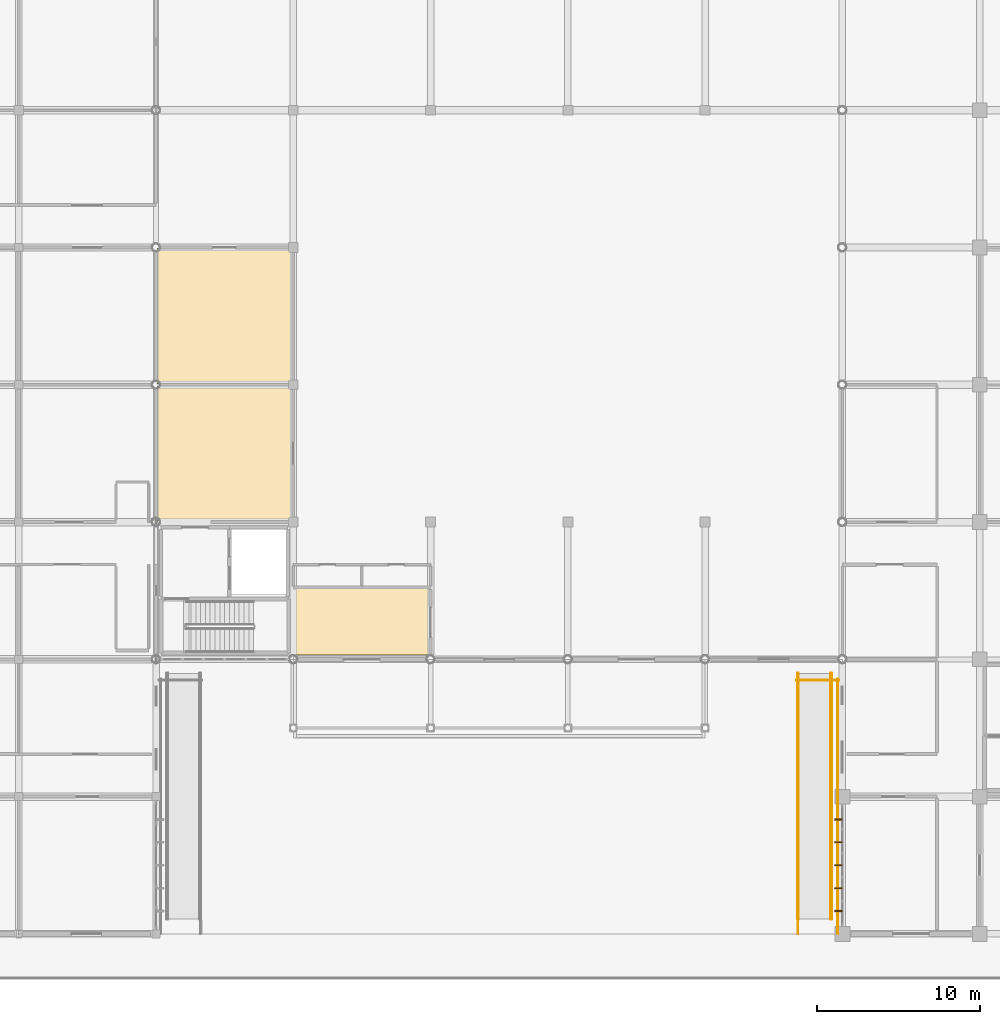
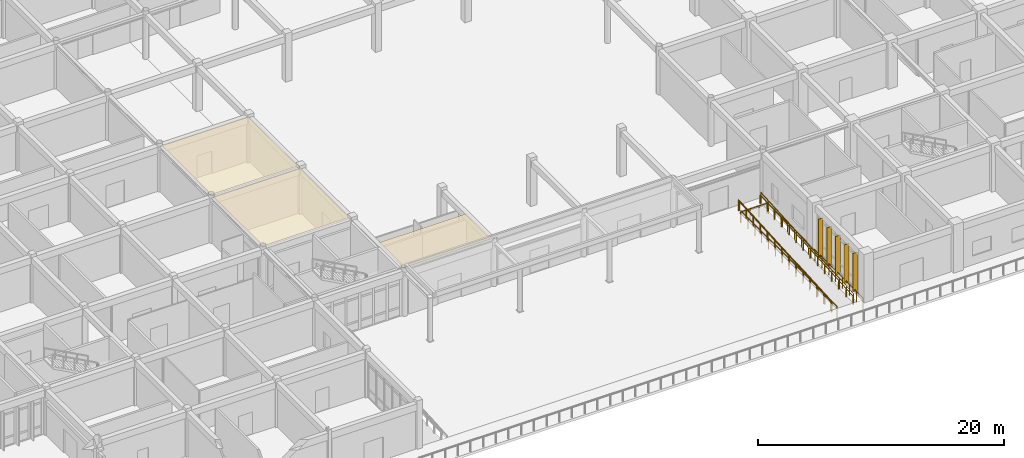
# One storey, part 119 of 138: 7 railings, 5 shading devices, 3 coverings.
"""IFC4 building model written with IfcOpenShell, lengths in metres."""

from ifc_helpers import new_model, si_unit, direction, frame, origin, origin_2d, place, context, subcontext, project, spatial, polyline, rectangle, circle, outline, extrude, material, layer, layer_set, material_profile, profile_set, type_object, element, save


model = new_model("IFC4")

# Units and contexts
model_context = context("Model", 3, precision=1e-05, world=origin(), true_north=direction((0.0, 1.0)))
body_context = subcontext(model_context, "Body", "Model", "MODEL_VIEW")
ifc_project = project(units=[si_unit("LENGTHUNIT", "METRE"), si_unit("AREAUNIT", "SQUARE_METRE"), si_unit("VOLUMEUNIT", "CUBIC_METRE"), si_unit("PLANEANGLEUNIT", "RADIAN"), si_unit("MASSUNIT", "GRAM", prefix="KILO")], contexts=[model_context])

# Site, building, storey
site_placement = place(None, origin())
site = spatial("IfcSite", under=ifc_project, at=site_placement, CompositionType="ELEMENT")
building_placement = place(site_placement, origin())
building = spatial("IfcBuilding", under=site, at=building_placement, Name="Bramfleet General Hospital", CompositionType="ELEMENT")
storey_placement = place(building_placement, origin())
storey = spatial("IfcBuildingStorey", under=building, at=storey_placement, Name="L00", CompositionType="ELEMENT", Elevation=0.0)

# Coverings
ifc_material_1 = material(Name="Hygienic acoustic mineral-fibre ceiling")
ifc_layer = layer(ifc_material_1, 0.02490234375, Name="COV-HYG-CEIL")
ifc_layer_set = layer_set([ifc_layer], Name="Hygienic acoustic mineral-fibre ceiling")
covering_type = type_object("IfcCoveringType", Name="COV-HYG-CEIL", PredefinedType="CEILING", material=ifc_layer_set)
covering_1_placement = place(storey_placement, frame((0.0, 0.0, 4.43505859375)))
element("IfcCovering", 1, at=covering_1_placement, inside=storey, type_object=covering_type, Name="Patient Admissions and Reception 03 Hygienic Ceiling", PredefinedType="CEILING", context=body_context, shape_type="SweptSolid", body=[
    extrude(outline(polyline([(58.739990234375, 33.5400390625), (58.739990234375, 25.260009765625), (50.4599609375, 25.260009765625), (50.4599609375, 33.5400390625), (58.739990234375, 33.5400390625)])), origin(), (0.0, 0.0, 1.0), 0.02490234375),
])
covering_2_placement = place(storey_placement, frame((0.0, 0.0, 4.43505859375)))
element("IfcCovering", 2, at=covering_2_placement, inside=storey, type_object=covering_type, Name="Patient Admissions and Reception 04 Hygienic Ceiling", PredefinedType="CEILING", context=body_context, shape_type="SweptSolid", body=[
    extrude(outline(polyline([(58.739990234375, 41.93994140625), (58.739990234375, 33.659912109375), (50.4599609375, 33.659912109375), (50.4599609375, 41.93994140625), (58.739990234375, 41.93994140625)])), origin(), (0.0, 0.0, 1.0), 0.02490234375),
])
covering_3_placement = place(storey_placement, frame((0.0, 0.0, 4.43505859375)))
element("IfcCovering", 3, at=covering_3_placement, inside=storey, type_object=covering_type, Name="Fire Command Room Hygienic Ceiling", PredefinedType="CEILING", context=body_context, shape_type="SweptSolid", body=[
    extrude(outline(polyline([(67.139892578125, 21.139892578125), (67.139892578125, 17.06005859375), (58.860107421875, 17.06005859375), (58.860107421875, 21.139892578125), (67.139892578125, 21.139892578125)])), origin(), (0.0, 0.0, 1.0), 0.02490234375),
])

# Railings
ifc_material_2 = material(Name="Stainless steel 1.4401 safety balustrade", Category="steel")
railing_type_1 = type_object("IfcRailingType", Name="RAIL-EXT-GUARD", PredefinedType="GUARDRAIL", material=ifc_material_2)
railing_1_placement = place(storey_placement, frame((92.1201171875, 0.0, -0.89990234375)))
element("IfcRailing", 4, at=railing_1_placement, inside=storey, type_object=railing_type_1, Name="Ramp Pocket Guard 2.247", PredefinedType="GUARDRAIL", context=body_context, shape_type="SweptSolid", body=[
    extrude(circle(Radius=0.02392578125, at=origin_2d()), frame((0.0, 0.0, 1.076171875), z_axis=(0.0, 1.0, 0.0), x_axis=(-1.0, 0.0, 0.0)), (0.0, 0.0, 1.0), 15.60009765625),
    extrude(circle(Radius=0.02099609375, at=origin_2d()), origin(), (0.0, 0.0, 1.0), 1.052001953125),
    extrude(circle(Radius=0.02099609375, at=origin_2d()), frame((0.0, 1.1142578125, 0.0)), (0.0, 0.0, 1.0), 1.052001953125),
    extrude(circle(Radius=0.02099609375, at=origin_2d()), frame((0.0, 2.228515625, 0.0)), (0.0, 0.0, 1.0), 1.052001953125),
    extrude(circle(Radius=0.02099609375, at=origin_2d()), frame((0.0, 3.3427734375, 0.0)), (0.0, 0.0, 1.0), 1.052001953125),
    extrude(circle(Radius=0.02099609375, at=origin_2d()), frame((0.0, 4.457275390625, 0.0)), (0.0, 0.0, 1.0), 1.052001953125),
    extrude(circle(Radius=0.02099609375, at=origin_2d()), frame((0.0, 5.571533203125, 0.0)), (0.0, 0.0, 1.0), 1.052001953125),
    extrude(circle(Radius=0.02099609375, at=origin_2d()), frame((0.0, 6.685791015625, 0.0)), (0.0, 0.0, 1.0), 1.052001953125),
    extrude(circle(Radius=0.02099609375, at=origin_2d()), frame((0.0, 7.800048828125, 0.0)), (0.0, 0.0, 1.0), 1.052001953125),
    extrude(circle(Radius=0.02099609375, at=origin_2d()), frame((0.0, 8.914306640625, 0.0)), (0.0, 0.0, 1.0), 1.052001953125),
    extrude(circle(Radius=0.02099609375, at=origin_2d()), frame((0.0, 10.028564453125, 0.0)), (0.0, 0.0, 1.0), 1.052001953125),
    extrude(circle(Radius=0.02099609375, at=origin_2d()), frame((0.0, 11.142822265625, 0.0)), (0.0, 0.0, 1.0), 1.052001953125),
    extrude(circle(Radius=0.02099609375, at=origin_2d()), frame((0.0, 12.25732421875, 0.0)), (0.0, 0.0, 1.0), 1.052001953125),
    extrude(circle(Radius=0.02099609375, at=origin_2d()), frame((0.0, 13.37158203125, 0.0)), (0.0, 0.0, 1.0), 1.052001953125),
    extrude(circle(Radius=0.02099609375, at=origin_2d()), frame((0.0, 14.48583984375, 0.0)), (0.0, 0.0, 1.0), 1.052001953125),
    extrude(circle(Radius=0.02099609375, at=origin_2d()), frame((0.0, 15.60009765625, 0.0)), (0.0, 0.0, 1.0), 1.052001953125),
])
railing_2_placement = place(storey_placement, frame((92.199951171875, 15.52001953125, -0.89990234375)))
element("IfcRailing", 5, at=railing_2_placement, inside=storey, type_object=railing_type_1, Name="Ramp Pocket Guard 2.248", PredefinedType="GUARDRAIL", context=body_context, shape_type="SweptSolid", body=[
    extrude(circle(Radius=0.02392578125, at=origin_2d()), frame((0.0, 0.0, 1.076171875), z_axis=(-1.0, 0.0, 0.0), x_axis=(0.0, -1.0, 0.0)), (0.0, 0.0, 1.0), 2.599853515625),
    extrude(circle(Radius=0.02099609375, at=origin_2d()), origin(), (0.0, 0.0, 1.0), 1.052001953125),
    extrude(circle(Radius=0.02099609375, at=origin_2d()), frame((-0.86669921875, 0.0, 0.0)), (0.0, 0.0, 1.0), 1.052001953125),
    extrude(circle(Radius=0.02099609375, at=origin_2d()), frame((-1.733154296875, 0.0, 0.0)), (0.0, 0.0, 1.0), 1.052001953125),
    extrude(circle(Radius=0.02099609375, at=origin_2d()), frame((-2.599853515625, 0.0, 0.0)), (0.0, 0.0, 1.0), 1.052001953125),
])
railing_3_placement = place(storey_placement, frame((89.679931640625, 15.60009765625, -0.89990234375)))
element("IfcRailing", 6, at=railing_3_placement, inside=storey, type_object=railing_type_1, Name="Ramp Pocket Guard 2.249", PredefinedType="GUARDRAIL", context=body_context, shape_type="SweptSolid", body=[
    extrude(circle(Radius=0.02392578125, at=origin_2d()), frame((0.0, 0.0, 1.076171875), z_axis=(0.0, -1.0, 0.0), x_axis=(1.0, 0.0, 0.0)), (0.0, 0.0, 1.0), 15.60009765625),
    extrude(circle(Radius=0.02099609375, at=origin_2d()), origin(), (0.0, 0.0, 1.0), 1.052001953125),
    extrude(circle(Radius=0.02099609375, at=origin_2d()), frame((0.0, -1.1142578125, 0.0)), (0.0, 0.0, 1.0), 1.052001953125),
    extrude(circle(Radius=0.02099609375, at=origin_2d()), frame((0.0, -2.228515625, 0.0)), (0.0, 0.0, 1.0), 1.052001953125),
    extrude(circle(Radius=0.02099609375, at=origin_2d()), frame((0.0, -3.3427734375, 0.0)), (0.0, 0.0, 1.0), 1.052001953125),
    extrude(circle(Radius=0.02099609375, at=origin_2d()), frame((0.0, -4.457275390625, 0.0)), (0.0, 0.0, 1.0), 1.052001953125),
    extrude(circle(Radius=0.02099609375, at=origin_2d()), frame((0.0, -5.571533203125, 0.0)), (0.0, 0.0, 1.0), 1.052001953125),
    extrude(circle(Radius=0.02099609375, at=origin_2d()), frame((0.0, -6.685791015625, 0.0)), (0.0, 0.0, 1.0), 1.052001953125),
    extrude(circle(Radius=0.02099609375, at=origin_2d()), frame((0.0, -7.800048828125, 0.0)), (0.0, 0.0, 1.0), 1.052001953125),
    extrude(circle(Radius=0.02099609375, at=origin_2d()), frame((0.0, -8.914306640625, 0.0)), (0.0, 0.0, 1.0), 1.052001953125),
    extrude(circle(Radius=0.02099609375, at=origin_2d()), frame((0.0, -10.028564453125, 0.0)), (0.0, 0.0, 1.0), 1.052001953125),
    extrude(circle(Radius=0.02099609375, at=origin_2d()), frame((0.0, -11.142822265625, 0.0)), (0.0, 0.0, 1.0), 1.052001953125),
    extrude(circle(Radius=0.02099609375, at=origin_2d()), frame((0.0, -12.25732421875, 0.0)), (0.0, 0.0, 1.0), 1.052001953125),
    extrude(circle(Radius=0.02099609375, at=origin_2d()), frame((0.0, -13.37158203125, 0.0)), (0.0, 0.0, 1.0), 1.052001953125),
    extrude(circle(Radius=0.02099609375, at=origin_2d()), frame((0.0, -14.48583984375, 0.0)), (0.0, 0.0, 1.0), 1.052001953125),
    extrude(circle(Radius=0.02099609375, at=origin_2d()), frame((0.0, -15.60009765625, 0.0)), (0.0, 0.0, 1.0), 1.052001953125),
])
railing_4_placement = place(storey_placement, frame((91.739990234375, 0.89990234375, -0.89990234375)))
element("IfcRailing", 7, at=railing_4_placement, inside=storey, type_object=railing_type_1, Name="Forecourt East Barrier-Free Ramp Guardrail R", PredefinedType="GUARDRAIL", context=body_context, shape_type="SweptSolid", body=[
    extrude(circle(Radius=0.02392578125, at=origin_2d()), frame((0.0, 0.0, 1.076171875), z_axis=(0.0, 0.998217119233, 0.059687376129), x_axis=(-1.0, 0.0, 0.0)), (0.0, 0.0, 1.0), 15.076904296875),
    extrude(circle(Radius=0.02099609375, at=origin_2d()), origin(), (0.0, 0.0, 1.0), 1.052001953125),
    extrude(circle(Radius=0.02099609375, at=origin_2d()), frame((0.0, 1.15771484375, 0.0693359375)), (0.0, 0.0, 1.0), 1.052001953125),
    extrude(circle(Radius=0.02099609375, at=origin_2d()), frame((0.0, 2.3154296875, 0.138427734375)), (0.0, 0.0, 1.0), 1.052001953125),
    extrude(circle(Radius=0.02099609375, at=origin_2d()), frame((0.0, 3.47314453125, 0.207763671875)), (0.0, 0.0, 1.0), 1.052001953125),
    extrude(circle(Radius=0.02099609375, at=origin_2d()), frame((0.0, 4.630859375, 0.27685546875)), (0.0, 0.0, 1.0), 1.052001953125),
    extrude(circle(Radius=0.02099609375, at=origin_2d()), frame((0.0, 5.78857421875, 0.34619140625)), (0.0, 0.0, 1.0), 1.052001953125),
    extrude(circle(Radius=0.02099609375, at=origin_2d()), frame((0.0, 6.9462890625, 0.415283203125)), (0.0, 0.0, 1.0), 1.052001953125),
    extrude(circle(Radius=0.02099609375, at=origin_2d()), frame((0.0, 8.103759765625, 0.484619140625)), (0.0, 0.0, 1.0), 1.052001953125),
    extrude(circle(Radius=0.02099609375, at=origin_2d()), frame((0.0, 9.261474609375, 0.5537109375)), (0.0, 0.0, 1.0), 1.052001953125),
    extrude(circle(Radius=0.02099609375, at=origin_2d()), frame((0.0, 10.419189453125, 0.623046875)), (0.0, 0.0, 1.0), 1.052001953125),
    extrude(circle(Radius=0.02099609375, at=origin_2d()), frame((0.0, 11.576904296875, 0.692138671875)), (0.0, 0.0, 1.0), 1.052001953125),
    extrude(circle(Radius=0.02099609375, at=origin_2d()), frame((0.0, 12.734619140625, 0.761474609375)), (0.0, 0.0, 1.0), 1.052001953125),
    extrude(circle(Radius=0.02099609375, at=origin_2d()), frame((0.0, 13.892333984375, 0.83056640625)), (0.0, 0.0, 1.0), 1.052001953125),
    extrude(circle(Radius=0.02099609375, at=origin_2d()), frame((0.0, 15.050048828125, 0.89990234375)), (0.0, 0.0, 1.0), 1.052001953125),
])
railing_5_placement = place(storey_placement, frame((89.659912109375, 0.89990234375, -0.89990234375)))
element("IfcRailing", 8, at=railing_5_placement, inside=storey, type_object=railing_type_1, Name="Forecourt East Barrier-Free Ramp Guardrail L", PredefinedType="GUARDRAIL", context=body_context, shape_type="SweptSolid", body=[
    extrude(circle(Radius=0.02392578125, at=origin_2d()), frame((0.0, 0.0, 1.076171875), z_axis=(0.0, 0.998217119233, 0.059687376129), x_axis=(-1.0, 0.0, 0.0)), (0.0, 0.0, 1.0), 15.076904296875),
    extrude(circle(Radius=0.02099609375, at=origin_2d()), origin(), (0.0, 0.0, 1.0), 1.052001953125),
    extrude(circle(Radius=0.02099609375, at=origin_2d()), frame((0.0, 1.15771484375, 0.0693359375)), (0.0, 0.0, 1.0), 1.052001953125),
    extrude(circle(Radius=0.02099609375, at=origin_2d()), frame((0.0, 2.3154296875, 0.138427734375)), (0.0, 0.0, 1.0), 1.052001953125),
    extrude(circle(Radius=0.02099609375, at=origin_2d()), frame((0.0, 3.47314453125, 0.207763671875)), (0.0, 0.0, 1.0), 1.052001953125),
    extrude(circle(Radius=0.02099609375, at=origin_2d()), frame((0.0, 4.630859375, 0.27685546875)), (0.0, 0.0, 1.0), 1.052001953125),
    extrude(circle(Radius=0.02099609375, at=origin_2d()), frame((0.0, 5.78857421875, 0.34619140625)), (0.0, 0.0, 1.0), 1.052001953125),
    extrude(circle(Radius=0.02099609375, at=origin_2d()), frame((0.0, 6.9462890625, 0.415283203125)), (0.0, 0.0, 1.0), 1.052001953125),
    extrude(circle(Radius=0.02099609375, at=origin_2d()), frame((0.0, 8.103759765625, 0.484619140625)), (0.0, 0.0, 1.0), 1.052001953125),
    extrude(circle(Radius=0.02099609375, at=origin_2d()), frame((0.0, 9.261474609375, 0.5537109375)), (0.0, 0.0, 1.0), 1.052001953125),
    extrude(circle(Radius=0.02099609375, at=origin_2d()), frame((0.0, 10.419189453125, 0.623046875)), (0.0, 0.0, 1.0), 1.052001953125),
    extrude(circle(Radius=0.02099609375, at=origin_2d()), frame((0.0, 11.576904296875, 0.692138671875)), (0.0, 0.0, 1.0), 1.052001953125),
    extrude(circle(Radius=0.02099609375, at=origin_2d()), frame((0.0, 12.734619140625, 0.761474609375)), (0.0, 0.0, 1.0), 1.052001953125),
    extrude(circle(Radius=0.02099609375, at=origin_2d()), frame((0.0, 13.892333984375, 0.83056640625)), (0.0, 0.0, 1.0), 1.052001953125),
    extrude(circle(Radius=0.02099609375, at=origin_2d()), frame((0.0, 15.050048828125, 0.89990234375)), (0.0, 0.0, 1.0), 1.052001953125),
])
ifc_material_3 = material(Name="Stainless steel 1.4401 handrail", Category="steel")
railing_type_2 = type_object("IfcRailingType", Name="RAIL-EXT-HND", PredefinedType="HANDRAIL", material=ifc_material_3)
railing_6_placement = place(storey_placement, frame((91.679931640625, 0.89990234375, -0.89990234375)))
element("IfcRailing", 9, at=railing_6_placement, inside=storey, type_object=railing_type_2, Name="Forecourt East Barrier-Free Ramp Handrail R", PredefinedType="HANDRAIL", context=body_context, shape_type="SweptSolid", body=[
    extrude(circle(Radius=0.02392578125, at=origin_2d()), frame((0.0, 0.0, 0.8759765625), z_axis=(0.0, 0.998217119233, 0.059687376129), x_axis=(-1.0, 0.0, 0.0)), (0.0, 0.0, 1.0), 15.076904296875),
    extrude(circle(Radius=0.02099609375, at=origin_2d()), origin(), (0.0, 0.0, 1.0), 0.851806640625),
    extrude(circle(Radius=0.02099609375, at=origin_2d()), frame((0.0, 1.15771484375, 0.0693359375)), (0.0, 0.0, 1.0), 0.851806640625),
    extrude(circle(Radius=0.02099609375, at=origin_2d()), frame((0.0, 2.3154296875, 0.138427734375)), (0.0, 0.0, 1.0), 0.851806640625),
    extrude(circle(Radius=0.02099609375, at=origin_2d()), frame((0.0, 3.47314453125, 0.207763671875)), (0.0, 0.0, 1.0), 0.851806640625),
    extrude(circle(Radius=0.02099609375, at=origin_2d()), frame((0.0, 4.630859375, 0.27685546875)), (0.0, 0.0, 1.0), 0.851806640625),
    extrude(circle(Radius=0.02099609375, at=origin_2d()), frame((0.0, 5.78857421875, 0.34619140625)), (0.0, 0.0, 1.0), 0.851806640625),
    extrude(circle(Radius=0.02099609375, at=origin_2d()), frame((0.0, 6.9462890625, 0.415283203125)), (0.0, 0.0, 1.0), 0.851806640625),
    extrude(circle(Radius=0.02099609375, at=origin_2d()), frame((0.0, 8.103759765625, 0.484619140625)), (0.0, 0.0, 1.0), 0.851806640625),
    extrude(circle(Radius=0.02099609375, at=origin_2d()), frame((0.0, 9.261474609375, 0.5537109375)), (0.0, 0.0, 1.0), 0.851806640625),
    extrude(circle(Radius=0.02099609375, at=origin_2d()), frame((0.0, 10.419189453125, 0.623046875)), (0.0, 0.0, 1.0), 0.851806640625),
    extrude(circle(Radius=0.02099609375, at=origin_2d()), frame((0.0, 11.576904296875, 0.692138671875)), (0.0, 0.0, 1.0), 0.851806640625),
    extrude(circle(Radius=0.02099609375, at=origin_2d()), frame((0.0, 12.734619140625, 0.761474609375)), (0.0, 0.0, 1.0), 0.851806640625),
    extrude(circle(Radius=0.02099609375, at=origin_2d()), frame((0.0, 13.892333984375, 0.83056640625)), (0.0, 0.0, 1.0), 0.851806640625),
    extrude(circle(Radius=0.02099609375, at=origin_2d()), frame((0.0, 15.050048828125, 0.89990234375)), (0.0, 0.0, 1.0), 0.851806640625),
])
railing_7_placement = place(storey_placement, frame((89.719970703125, 0.89990234375, -0.89990234375)))
element("IfcRailing", 10, at=railing_7_placement, inside=storey, type_object=railing_type_2, Name="Forecourt East Barrier-Free Ramp Handrail L", PredefinedType="HANDRAIL", context=body_context, shape_type="SweptSolid", body=[
    extrude(circle(Radius=0.02392578125, at=origin_2d()), frame((0.0, 0.0, 0.8759765625), z_axis=(0.0, 0.998217119233, 0.059687376129), x_axis=(-1.0, 0.0, 0.0)), (0.0, 0.0, 1.0), 15.076904296875),
    extrude(circle(Radius=0.02099609375, at=origin_2d()), origin(), (0.0, 0.0, 1.0), 0.851806640625),
    extrude(circle(Radius=0.02099609375, at=origin_2d()), frame((0.0, 1.15771484375, 0.0693359375)), (0.0, 0.0, 1.0), 0.851806640625),
    extrude(circle(Radius=0.02099609375, at=origin_2d()), frame((0.0, 2.3154296875, 0.138427734375)), (0.0, 0.0, 1.0), 0.851806640625),
    extrude(circle(Radius=0.02099609375, at=origin_2d()), frame((0.0, 3.47314453125, 0.207763671875)), (0.0, 0.0, 1.0), 0.851806640625),
    extrude(circle(Radius=0.02099609375, at=origin_2d()), frame((0.0, 4.630859375, 0.27685546875)), (0.0, 0.0, 1.0), 0.851806640625),
    extrude(circle(Radius=0.02099609375, at=origin_2d()), frame((0.0, 5.78857421875, 0.34619140625)), (0.0, 0.0, 1.0), 0.851806640625),
    extrude(circle(Radius=0.02099609375, at=origin_2d()), frame((0.0, 6.9462890625, 0.415283203125)), (0.0, 0.0, 1.0), 0.851806640625),
    extrude(circle(Radius=0.02099609375, at=origin_2d()), frame((0.0, 8.103759765625, 0.484619140625)), (0.0, 0.0, 1.0), 0.851806640625),
    extrude(circle(Radius=0.02099609375, at=origin_2d()), frame((0.0, 9.261474609375, 0.5537109375)), (0.0, 0.0, 1.0), 0.851806640625),
    extrude(circle(Radius=0.02099609375, at=origin_2d()), frame((0.0, 10.419189453125, 0.623046875)), (0.0, 0.0, 1.0), 0.851806640625),
    extrude(circle(Radius=0.02099609375, at=origin_2d()), frame((0.0, 11.576904296875, 0.692138671875)), (0.0, 0.0, 1.0), 0.851806640625),
    extrude(circle(Radius=0.02099609375, at=origin_2d()), frame((0.0, 12.734619140625, 0.761474609375)), (0.0, 0.0, 1.0), 0.851806640625),
    extrude(circle(Radius=0.02099609375, at=origin_2d()), frame((0.0, 13.892333984375, 0.83056640625)), (0.0, 0.0, 1.0), 0.851806640625),
    extrude(circle(Radius=0.02099609375, at=origin_2d()), frame((0.0, 15.050048828125, 0.89990234375)), (0.0, 0.0, 1.0), 0.851806640625),
])

# Shading devices
ifc_material_4 = material(Name="Treated European larch timber", Category="wood")
ifc_material_profile = material_profile(ifc_material_4, rectangle(XDim=0.06494140625, YDim=0.449951171875, at=origin_2d()), Name="LARCH FIN 450x65")
ifc_profile_set = profile_set([ifc_material_profile], Name="Treated European larch timber")
shading_device_type = type_object("IfcShadingDeviceType", Name="SHD-FIN-450", PredefinedType="USERDEFINED", material=ifc_profile_set)
for number, where, z_axis, x_axis, name in (
    (11, (92.159912109375, 1.39990234375, -0.02001953125), (0.0, 0.0, 1.0), (0.0, 1.0, 0.0), "L00 Larch Timber Shading Fin 129"),
    (12, (92.159912109375, 2.800048828125, -0.02001953125), (0.0, 0.0, 1.0), (0.0, 1.0, 0.0), "L00 Larch Timber Shading Fin 130"),
    (13, (92.159912109375, 4.199951171875, -0.02001953125), (0.0, 0.0, 1.0), (0.0, 1.0, 0.0), "L00 Larch Timber Shading Fin 131"),
    (14, (92.159912109375, 5.60009765625, -0.02001953125), (0.0, 0.0, 1.0), (0.0, 1.0, 0.0), "L00 Larch Timber Shading Fin 132"),
    (15, (92.159912109375, 7.0, -0.02001953125), (0.0, 0.0, 1.0), (0.0, 1.0, 0.0), "L00 Larch Timber Shading Fin 133"),
):
    element("IfcShadingDevice", number, at=place(storey_placement, frame(where, z_axis=z_axis, x_axis=x_axis)), inside=storey, type_object=shading_device_type, Name=name, ObjectType="Fin", PredefinedType="USERDEFINED", context=body_context, shape_type="SweptSolid", body=[
        extrude(rectangle(XDim=0.06494140625, YDim=0.449951171875, at=origin_2d()), origin(), (0.0, 0.0, 1.0), 3.820068359375),
    ])

save(model, "model.ifc")
